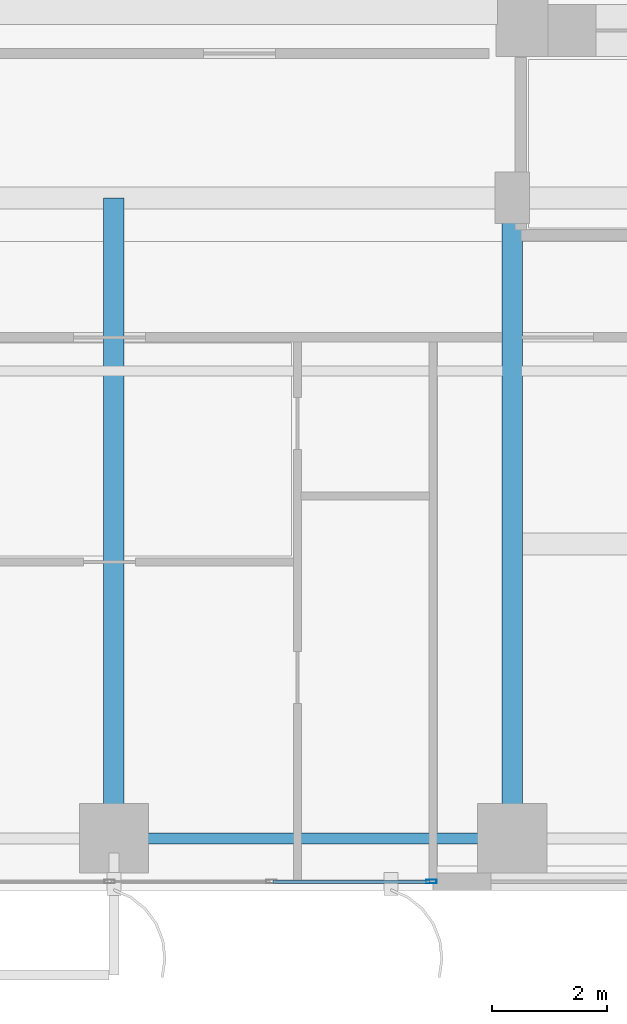
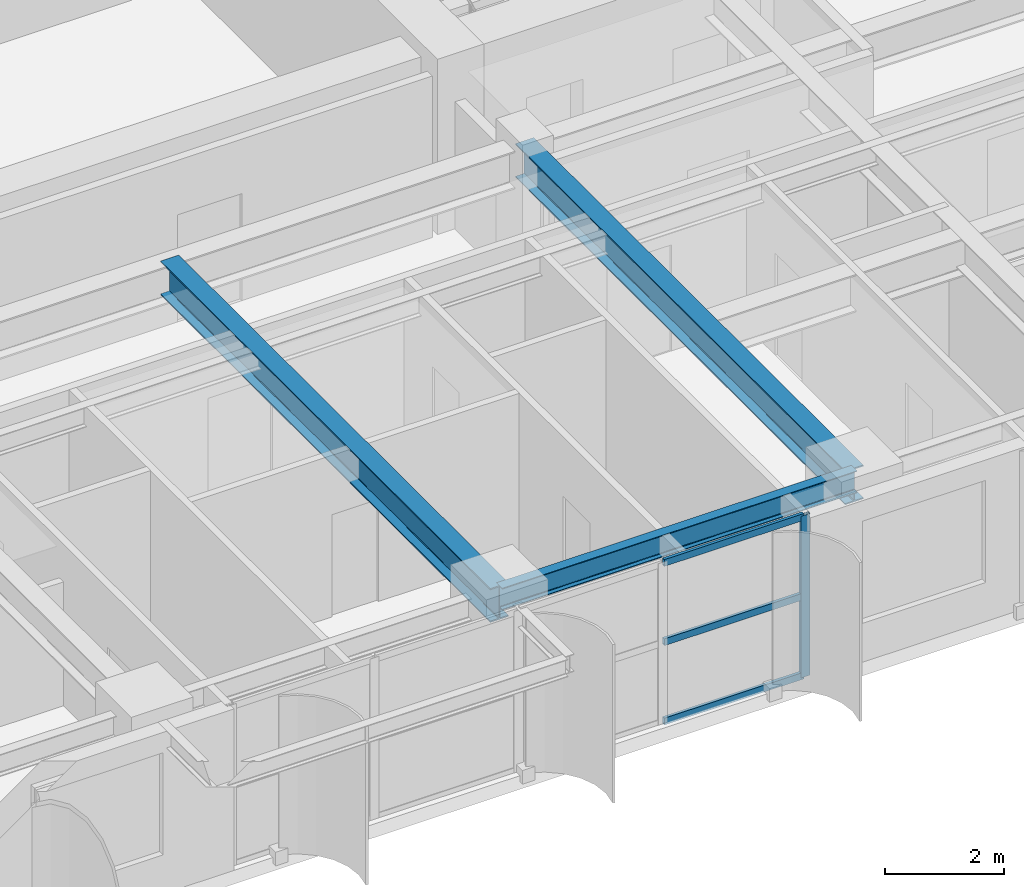
# One storey, part 3 of 26: 4 members, 3 beams, 1 element without a shape of its own.
"""IFC4 building model written with IfcOpenShell, lengths in metres."""

from ifc_helpers import new_model, si_unit, direction, frame, origin, origin_2d, place, context, subcontext, project, spatial, hollow_rectangle, i_section, extrude, source, transform, mapped, material, layer, layer_set, material_profile, profile_set, type_object, element, aggregate, save


model = new_model("IFC4")

# Units and contexts
model_context = context("Model", 3, precision=1e-05, world=origin(), true_north=direction((0.0, 1.0)))
body_context = subcontext(model_context, "Body", "Model", "MODEL_VIEW")
ifc_project = project(units=[si_unit("LENGTHUNIT", "METRE"), si_unit("AREAUNIT", "SQUARE_METRE"), si_unit("VOLUMEUNIT", "CUBIC_METRE"), si_unit("PLANEANGLEUNIT", "RADIAN"), si_unit("MASSUNIT", "GRAM", prefix="KILO")], contexts=[model_context])

# Site, building, storey
site_placement = place(None, origin())
site = spatial("IfcSite", under=ifc_project, at=site_placement, CompositionType="ELEMENT")
building_placement = place(site_placement, origin())
building = spatial("IfcBuilding", under=site, at=building_placement, Name="Khoralis Quay Care Tower", CompositionType="ELEMENT")
storey_placement = place(building_placement, frame((0.0, 0.0, 26.10009765625)))
storey = spatial("IfcBuildingStorey", under=building, at=storey_placement, Name="L06", CompositionType="ELEMENT", Elevation=26.10009765625)

# Beams
ifc_material_1 = material(Name="Steel S355", Category="steel")
ifc_material_profile_1 = material_profile(ifc_material_1, i_section(OverallWidth=0.18994140625, OverallDepth=0.449951171875, WebThickness=0.009521484375, FlangeThickness=0.0146484375, FilletRadius=0.02099609375, at=origin_2d()), Name="Steel S355")
ifc_profile_set_1 = profile_set([ifc_material_profile_1], Name="Steel S355")
beam_type_1 = type_object("IfcBeamType", Name="BM-IPE450", PredefinedType="SPANDREL", material=ifc_profile_set_1)
shared_shape_1 = source(origin(), body_context, "Body", "SweptSolid", [
    extrude(i_section(OverallWidth=0.18994140625, OverallDepth=0.449951171875, WebThickness=0.009521484375, FlangeThickness=0.0146484375, FilletRadius=0.02099609375, at=origin_2d()), origin(), (0.0, 0.0, 1.0), 6.89990234375),
])
beam_placement = place(storey_placement, frame((24.0, 0.89990234375, 3.094970703125), z_axis=(1.0, 0.0, 0.0), x_axis=(0.0, 1.0, 0.0)))
element("IfcBeam", 1, at=beam_placement, inside=storey, type_object=beam_type_1, Name="BM-TSP-L06-04", PredefinedType="SPANDREL", context=body_context, shape_type="MappedRepresentation", body=[
    mapped(shared_shape_1, transform((0.0, 0.0, 0.0), scale=1.0)),
])
ifc_material_profile_2 = material_profile(ifc_material_1, i_section(OverallWidth=0.35498046875, OverallDepth=0.695068359375, WebThickness=0.015380859375, FlangeThickness=0.02490234375, FilletRadius=0.02001953125, at=origin_2d()), Name="Steel S355")
ifc_profile_set_2 = profile_set([ifc_material_profile_2], Name="Steel S355")
beam_type_2 = type_object("IfcBeamType", Name="BM-W690X217", PredefinedType="BEAM", material=ifc_profile_set_2)
shared_shape_2 = source(origin(), body_context, "Body", "SweptSolid", [
    extrude(i_section(OverallWidth=0.35498046875, OverallDepth=0.695068359375, WebThickness=0.015380859375, FlangeThickness=0.02490234375, FilletRadius=0.02001953125, at=origin_2d()), origin(), (0.0, 0.0, 1.0), 11.10009765625),
])
for number, where, z_axis, x_axis, name in (
    (2, (24.0, 0.89990234375, 2.972412109375), (0.0, 1.0, 0.0), (-1.0, 0.0, 0.0), "BM-TGYS-L06-240"),
    (3, (30.89990234375, 0.89990234375, 2.972412109375), (0.0, 1.0, 0.0), (-1.0, 0.0, 0.0), "BM-TGYS-L06-309"),
):
    element("IfcBeam", number, at=place(storey_placement, frame(where, z_axis=z_axis, x_axis=x_axis)), inside=storey, type_object=beam_type_2, Name=name, PredefinedType="BEAM", context=body_context, shape_type="MappedRepresentation", body=[
        mapped(shared_shape_2, transform((0.0, 0.0, 0.0), scale=1.0)),
    ])

# Curtain wall, members
ifc_material_2 = material(Name="Pale anodised aluminium", Category="aluminium")
ifc_layer = layer(ifc_material_2, 0.179931640625)
ifc_layer_set = layer_set([ifc_layer], Name="Pale anodised aluminium")
curtain_wall_type = type_object("IfcCurtainWallType", Name="CW-SYS-Z1", PredefinedType="NOTDEFINED", material=ifc_layer_set)
curtain_wall_placement = place(storey_placement, origin())
curtain_wall = element("IfcCurtainWall", 4, at=curtain_wall_placement, inside=storey, type_object=curtain_wall_type, Name="L06 Unitised Curtain Wall CW-L06-P1-E0", PredefinedType="NOTDEFINED")
ifc_material_profile_3 = material_profile(ifc_material_2, hollow_rectangle(XDim=0.06494140625, YDim=0.179931640625, WallThickness=0.00390625, at=origin_2d()), Name="Pale anodised aluminium")
ifc_profile_set_3 = profile_set([ifc_material_profile_3], Name="Pale anodised aluminium")
member_type_1 = type_object("IfcMemberType", Name="CW-MUL-180", PredefinedType="MULLION", material=ifc_profile_set_3)
shared_shape_3 = source(origin(), body_context, "Body", "SweptSolid", [
    extrude(hollow_rectangle(XDim=0.06494140625, YDim=0.179931640625, WallThickness=0.00390625, at=origin_2d()), origin(), (0.0, 0.0, 1.0), 3.31982421875),
])
member_1_placement = place(storey_placement, frame((29.5, 0.14990234375, 0.0), z_axis=(0.0, 0.0, 1.0), x_axis=(0.0, 1.0, 0.0)))
member_1 = element("IfcMember", 5, at=member_1_placement, type_object=member_type_1, Name="CW1 mullion 5", PredefinedType="MULLION", context=body_context, shape_type="MappedRepresentation", body=[
    mapped(shared_shape_3, transform((0.0, 0.0, 0.0), scale=1.0)),
])
ifc_material_profile_4 = material_profile(ifc_material_2, hollow_rectangle(XDim=0.06005859375, YDim=0.139892578125, WallThickness=0.00390625, at=origin_2d()), Name="Pale anodised aluminium")
ifc_profile_set_4 = profile_set([ifc_material_profile_4], Name="Pale anodised aluminium")
member_type_2 = type_object("IfcMemberType", Name="CW-TRN-140", PredefinedType="USERDEFINED", material=ifc_profile_set_4)
shared_shape_4 = source(origin(), body_context, "Body", "SweptSolid", [
    extrude(hollow_rectangle(XDim=0.06005859375, YDim=0.139892578125, WallThickness=0.00390625, at=origin_2d()), origin(), (0.0, 0.0, 1.0), 2.71240234375),
])
member_2_placement = place(storey_placement, frame((26.757568359375, 0.14990234375, 0.02978515625), z_axis=(1.0, 0.0, 0.0), x_axis=(0.0, 1.0, 0.0)))
member_2 = element("IfcMember", 6, at=member_2_placement, type_object=member_type_2, Name="CW1 transom 4.1", ObjectType="TRANSOM", PredefinedType="USERDEFINED", context=body_context, shape_type="MappedRepresentation", body=[
    mapped(shared_shape_4, transform((0.0, 0.0, 0.0), scale=1.0)),
])
member_3_placement = place(storey_placement, frame((26.757568359375, 0.14990234375, 1.659912109375), z_axis=(1.0, 0.0, 0.0), x_axis=(0.0, 1.0, 0.0)))
member_3 = element("IfcMember", 7, at=member_3_placement, type_object=member_type_2, Name="CW1 transom 4.2", ObjectType="TRANSOM", PredefinedType="USERDEFINED", context=body_context, shape_type="MappedRepresentation", body=[
    mapped(shared_shape_4, transform((0.0, 0.0, 0.0), scale=1.0)),
])
member_4_placement = place(storey_placement, frame((26.757568359375, 0.14990234375, 3.289794921875), z_axis=(1.0, 0.0, 0.0), x_axis=(0.0, 1.0, 0.0)))
member_4 = element("IfcMember", 8, at=member_4_placement, type_object=member_type_2, Name="CW1 transom 4.3", ObjectType="TRANSOM", PredefinedType="USERDEFINED", context=body_context, shape_type="MappedRepresentation", body=[
    mapped(shared_shape_4, transform((0.0, 0.0, 0.0), scale=1.0)),
])
aggregate(curtain_wall, [member_1, member_2, member_3, member_4])

save(model, "model.ifc")
